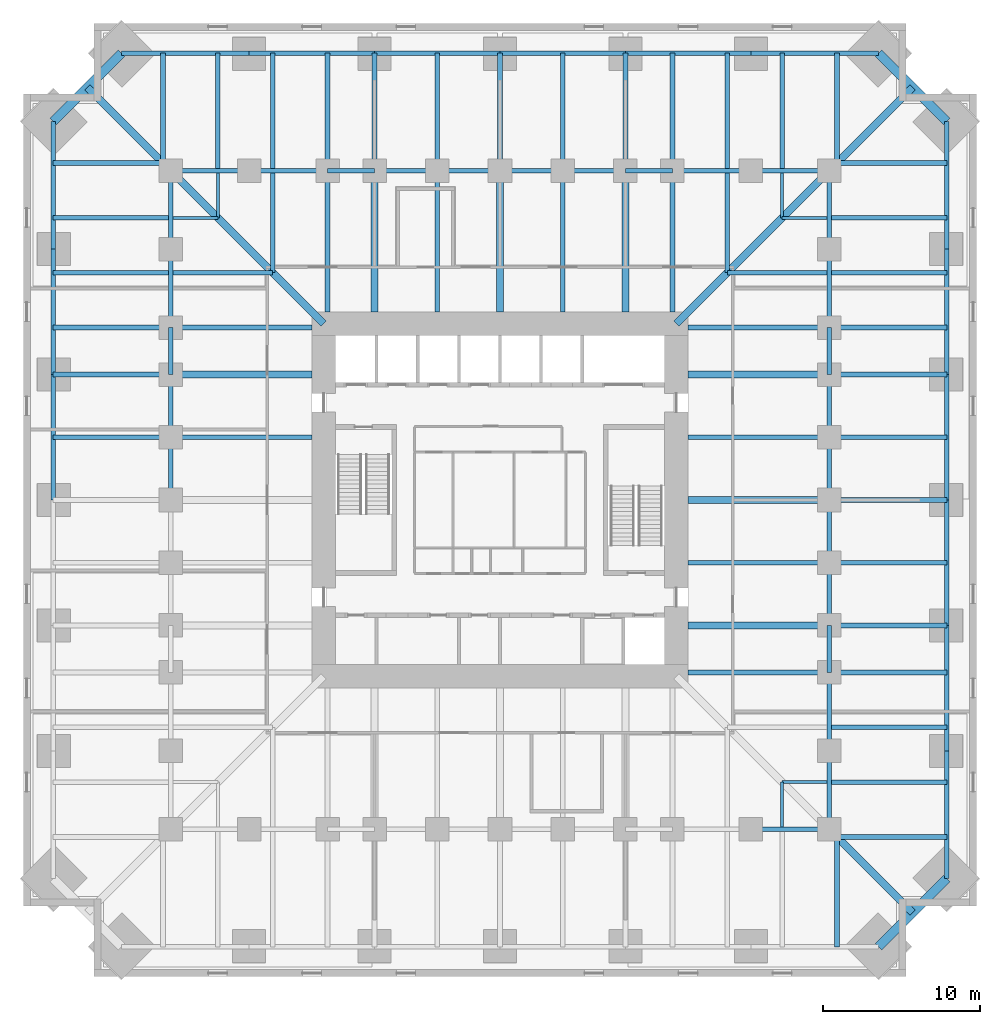
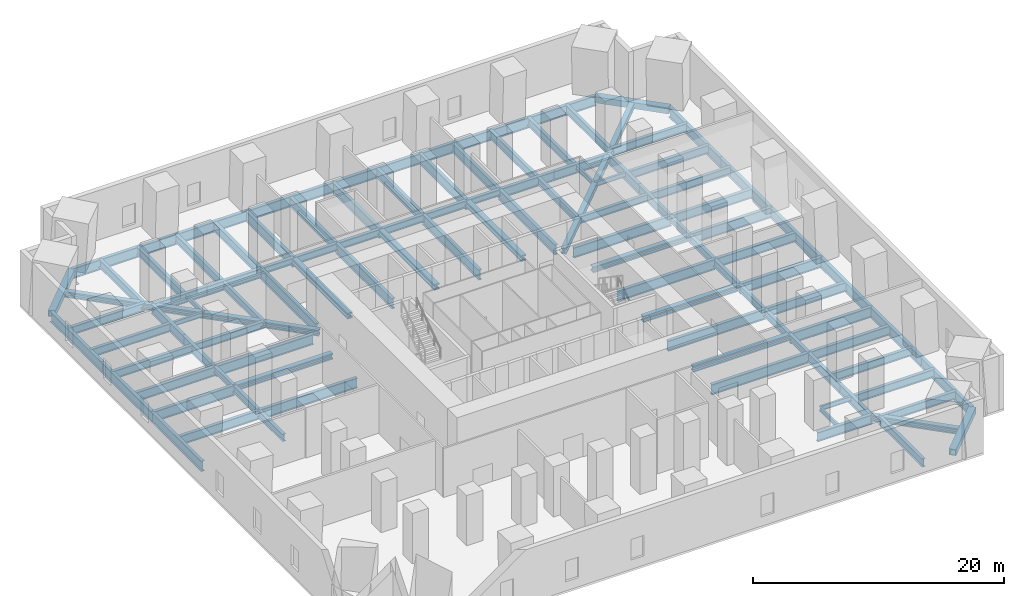
# One storey, part 2 of 8: 109 beams.
"""IFC4 building model written with IfcOpenShell, lengths in metres."""

from ifc_helpers import new_model, si_unit, direction, frame, origin, origin_2d, place, context, subcontext, project, spatial, hollow_rectangle, i_section, extrude, material, material_profile, profile_set, type_object, element, save


model = new_model("IFC4")

# Units and contexts
model_context = context("Model", 3, precision=1e-05, world=origin(), true_north=direction((0.0, 1.0)))
body_context = subcontext(model_context, "Body", "Model", "MODEL_VIEW")
ifc_project = project(units=[si_unit("LENGTHUNIT", "METRE"), si_unit("AREAUNIT", "SQUARE_METRE"), si_unit("VOLUMEUNIT", "CUBIC_METRE"), si_unit("PLANEANGLEUNIT", "RADIAN"), si_unit("MASSUNIT", "GRAM", prefix="KILO")], contexts=[model_context])

# Site, building, storey
site_placement = place(None, origin())
site = spatial("IfcSite", under=ifc_project, at=site_placement, CompositionType="ELEMENT")
building_placement = place(site_placement, origin())
building = spatial("IfcBuilding", under=site, at=building_placement, Name="Peilmerk Tower", CompositionType="ELEMENT")
storey_placement = place(building_placement, frame((0.0, 0.0, 59.5)))
storey = spatial("IfcBuildingStorey", under=building, at=storey_placement, Name="L11", CompositionType="ELEMENT", Elevation=59.5)

# Beams
ifc_material_1 = material(Name="Steel S355", Category="steel")
ifc_material_profile_1 = material_profile(ifc_material_1, i_section(OverallWidth=0.300048828125, OverallDepth=1.0, WebThickness=0.01904296875, FlangeThickness=0.035888671875, at=origin_2d()), Name="HEB 1000")
ifc_profile_set_1 = profile_set([ifc_material_profile_1], Name="Steel S355")
beam_type_1 = type_object("IfcBeamType", Name="B13 HEB 1000 edge beam", PredefinedType="SPANDREL", material=ifc_profile_set_1)
beam_1_placement = place(storey_placement, frame((24.1474609375, 28.49755859375, -0.699951171875), z_axis=(-1.0, 0.0, 0.0), x_axis=(0.0, -1.0, 0.0)))
element("IfcBeam", 1, at=beam_1_placement, inside=storey, type_object=beam_type_1, Name="Edge beam L11", PredefinedType="SPANDREL", context=body_context, shape_type="SweptSolid", body=[
    extrude(i_section(OverallWidth=0.300048828125, OverallDepth=1.0, WebThickness=0.01904296875, FlangeThickness=0.035888671875, at=origin_2d()), origin(), (0.0, 0.0, 1.0), 8.1474609375),
])
for number, where, z_axis, x_axis, name in (
    (2, (16.0, 28.49755859375, -0.699951171875), (-1.0, 0.0, 0.0), (0.0, -1.0, 0.0), "Edge beam L11"),
    (3, (8.0, 28.49755859375, -0.699951171875), (-1.0, 0.0, 0.0), (0.0, -1.0, 0.0), "Edge beam L11"),
    (4, (0.0, 28.49755859375, -0.699951171875), (-1.0, 0.0, 0.0), (0.0, -1.0, 0.0), "Edge beam L11"),
    (5, (-8.0, 28.49755859375, -0.699951171875), (-1.0, 0.0, 0.0), (0.0, -1.0, 0.0), "Edge beam L11"),
):
    element("IfcBeam", number, at=place(storey_placement, frame(where, z_axis=z_axis, x_axis=x_axis)), inside=storey, type_object=beam_type_1, Name=name, PredefinedType="SPANDREL", context=body_context, shape_type="SweptSolid", body=[
        extrude(i_section(OverallWidth=0.300048828125, OverallDepth=1.0, WebThickness=0.01904296875, FlangeThickness=0.035888671875, at=origin_2d()), origin(), (0.0, 0.0, 1.0), 8.0),
    ])
for number, where, z_axis, x_axis, name in (
    (6, (-16.0, 28.49755859375, -0.699951171875), (-1.0, 0.0, 0.0), (0.0, -1.0, 0.0), "Edge beam L11"),
    (7, (28.49755859375, -24.1474609375, -0.699951171875), (0.0, 1.0, 0.0), (-1.0, 0.0, 0.0), "Edge beam L11"),
):
    element("IfcBeam", number, at=place(storey_placement, frame(where, z_axis=z_axis, x_axis=x_axis)), inside=storey, type_object=beam_type_1, Name=name, PredefinedType="SPANDREL", context=body_context, shape_type="SweptSolid", body=[
        extrude(i_section(OverallWidth=0.300048828125, OverallDepth=1.0, WebThickness=0.01904296875, FlangeThickness=0.035888671875, at=origin_2d()), origin(), (0.0, 0.0, 1.0), 8.1474609375),
    ])
for number, where, z_axis, x_axis, name in (
    (8, (28.49755859375, -16.0, -0.699951171875), (0.0, 1.0, 0.0), (-1.0, 0.0, 0.0), "Edge beam L11"),
    (9, (28.49755859375, -8.0, -0.699951171875), (0.0, 1.0, 0.0), (-1.0, 0.0, 0.0), "Edge beam L11"),
    (10, (28.49755859375, 0.0, -0.699951171875), (0.0, 1.0, 0.0), (-1.0, 0.0, 0.0), "Edge beam L11"),
    (11, (28.49755859375, 8.0, -0.699951171875), (0.0, 1.0, 0.0), (-1.0, 0.0, 0.0), "Edge beam L11"),
):
    element("IfcBeam", number, at=place(storey_placement, frame(where, z_axis=z_axis, x_axis=x_axis)), inside=storey, type_object=beam_type_1, Name=name, PredefinedType="SPANDREL", context=body_context, shape_type="SweptSolid", body=[
        extrude(i_section(OverallWidth=0.300048828125, OverallDepth=1.0, WebThickness=0.01904296875, FlangeThickness=0.035888671875, at=origin_2d()), origin(), (0.0, 0.0, 1.0), 8.0),
    ])
for number, where, z_axis, x_axis, name in (
    (12, (28.49755859375, 16.0, -0.699951171875), (0.0, 1.0, 0.0), (-1.0, 0.0, 0.0), "Edge beam L11"),
    (13, (-28.49755859375, 24.1474609375, -0.699951171875), (0.0, -1.0, 0.0), (1.0, 0.0, 0.0), "Edge beam L11"),
):
    element("IfcBeam", number, at=place(storey_placement, frame(where, z_axis=z_axis, x_axis=x_axis)), inside=storey, type_object=beam_type_1, Name=name, PredefinedType="SPANDREL", context=body_context, shape_type="SweptSolid", body=[
        extrude(i_section(OverallWidth=0.300048828125, OverallDepth=1.0, WebThickness=0.01904296875, FlangeThickness=0.035888671875, at=origin_2d()), origin(), (0.0, 0.0, 1.0), 8.1474609375),
    ])
for number, where, z_axis, x_axis, name in (
    (14, (-28.49755859375, 16.0, -0.699951171875), (0.0, -1.0, 0.0), (1.0, 0.0, 0.0), "Edge beam L11"),
    (15, (-28.49755859375, 8.0, -0.699951171875), (0.0, -1.0, 0.0), (1.0, 0.0, 0.0), "Edge beam L11"),
):
    element("IfcBeam", number, at=place(storey_placement, frame(where, z_axis=z_axis, x_axis=x_axis)), inside=storey, type_object=beam_type_1, Name=name, PredefinedType="SPANDREL", context=body_context, shape_type="SweptSolid", body=[
        extrude(i_section(OverallWidth=0.300048828125, OverallDepth=1.0, WebThickness=0.01904296875, FlangeThickness=0.035888671875, at=origin_2d()), origin(), (0.0, 0.0, 1.0), 8.0),
    ])
ifc_material_profile_2 = material_profile(ifc_material_1, i_section(OverallWidth=0.300048828125, OverallDepth=0.68994140625, WebThickness=0.014404296875, FlangeThickness=0.027099609375, at=origin_2d()), Name="HEA 700")
ifc_profile_set_2 = profile_set([ifc_material_profile_2], Name="Steel S355")
beam_type_2 = type_object("IfcBeamType", Name="B16 HEA 700 floor beam", PredefinedType="BEAM", material=ifc_profile_set_2)
for number, where, z_axis, x_axis, name in (
    (16, (14.5, 14.5, -0.544921875), (0.0, 1.0, 0.0), (-1.0, 0.0, 0.0), "Floor beam L11"),
    (17, (14.5, 14.5, -0.544921875), (1.0, 0.0, 0.0), (0.0, 1.0, 0.0), "Floor beam L11"),
    (18, (-14.5, 14.5, -0.544921875), (0.0, 1.0, 0.0), (-1.0, 0.0, 0.0), "Floor beam L11"),
    (19, (-14.5, 14.5, -0.544921875), (-1.0, 0.0, 0.0), (0.0, -1.0, 0.0), "Floor beam L11"),
):
    element("IfcBeam", number, at=place(storey_placement, frame(where, z_axis=z_axis, x_axis=x_axis)), inside=storey, type_object=beam_type_2, Name=name, PredefinedType="BEAM", context=body_context, shape_type="SweptSolid", body=[
        extrude(i_section(OverallWidth=0.300048828125, OverallDepth=0.68994140625, WebThickness=0.014404296875, FlangeThickness=0.027099609375, at=origin_2d()), origin(), (0.0, 0.0, 1.0), 6.34912109375),
    ])
ifc_material_profile_3 = material_profile(ifc_material_1, i_section(OverallWidth=0.302001953125, OverallDepth=0.909912109375, WebThickness=0.02099609375, FlangeThickness=0.0400390625, at=origin_2d()), Name="HEM 900")
ifc_profile_set_3 = profile_set([ifc_material_profile_3], Name="Steel S355")
beam_type_3 = type_object("IfcBeamType", Name="B18 HEM 900 ring girder", PredefinedType="BEAM", material=ifc_profile_set_3)
for number, where, z_axis, x_axis, name in (
    (20, (21.0, 21.0, -0.655029296875), (-1.0, 0.0, 0.0), (0.0, -1.0, 0.0), "Ring girder L11"),
    (21, (16.0, 21.0, -0.655029296875), (-1.0, 0.0, 0.0), (0.0, -1.0, 0.0), "Ring girder L11"),
    (22, (-11.0, 21.0, -0.655029296875), (-1.0, 0.0, 0.0), (0.0, -1.0, 0.0), "Ring girder L11"),
    (23, (-16.0, 21.0, -0.655029296875), (-1.0, 0.0, 0.0), (0.0, -1.0, 0.0), "Ring girder L11"),
    (24, (21.0, -21.0, -0.655029296875), (0.0, 1.0, 0.0), (-1.0, 0.0, 0.0), "Ring girder L11"),
    (25, (21.0, -16.0, -0.655029296875), (0.0, 1.0, 0.0), (-1.0, 0.0, 0.0), "Ring girder L11"),
    (26, (21.0, 11.0, -0.655029296875), (0.0, 1.0, 0.0), (-1.0, 0.0, 0.0), "Ring girder L11"),
    (27, (21.0, 16.0, -0.655029296875), (0.0, 1.0, 0.0), (-1.0, 0.0, 0.0), "Ring girder L11"),
    (28, (16.0, -21.0, -0.655029296875), (1.0, 0.0, 0.0), (0.0, 1.0, 0.0), "Ring girder L11"),
    (29, (-21.0, 21.0, -0.655029296875), (0.0, -1.0, 0.0), (1.0, 0.0, 0.0), "Ring girder L11"),
    (30, (-21.0, 16.0, -0.655029296875), (0.0, -1.0, 0.0), (1.0, 0.0, 0.0), "Ring girder L11"),
):
    element("IfcBeam", number, at=place(storey_placement, frame(where, z_axis=z_axis, x_axis=x_axis)), inside=storey, type_object=beam_type_3, Name=name, PredefinedType="BEAM", context=body_context, shape_type="SweptSolid", body=[
        extrude(i_section(OverallWidth=0.302001953125, OverallDepth=0.909912109375, WebThickness=0.02099609375, FlangeThickness=0.0400390625, at=origin_2d()), origin(), (0.0, 0.0, 1.0), 5.0),
    ])
ifc_material_profile_4 = material_profile(ifc_material_1, i_section(OverallWidth=0.303955078125, OverallDepth=0.716064453125, WebThickness=0.02099609375, FlangeThickness=0.0400390625, at=origin_2d()), Name="HEM 700")
ifc_profile_set_4 = profile_set([ifc_material_profile_4], Name="Steel S355")
beam_type_4 = type_object("IfcBeamType", Name="B19 HEM 700 ring girder", PredefinedType="BEAM", material=ifc_profile_set_4)
for number, where, z_axis, x_axis, name in (
    (31, (8.0, 21.0, -0.55810546875), (-1.0, 0.0, 0.0), (0.0, -1.0, 0.0), "Ring girder L11"),
    (32, (4.0, 21.0, -0.55810546875), (-1.0, 0.0, 0.0), (0.0, -1.0, 0.0), "Ring girder L11"),
    (33, (0.0, 21.0, -0.55810546875), (-1.0, 0.0, 0.0), (0.0, -1.0, 0.0), "Ring girder L11"),
    (34, (-4.0, 21.0, -0.55810546875), (-1.0, 0.0, 0.0), (0.0, -1.0, 0.0), "Ring girder L11"),
    (35, (21.0, -8.0, -0.55810546875), (0.0, 1.0, 0.0), (-1.0, 0.0, 0.0), "Ring girder L11"),
    (36, (21.0, -4.0, -0.55810546875), (0.0, 1.0, 0.0), (-1.0, 0.0, 0.0), "Ring girder L11"),
    (37, (21.0, 0.0, -0.55810546875), (0.0, 1.0, 0.0), (-1.0, 0.0, 0.0), "Ring girder L11"),
    (38, (21.0, 4.0, -0.55810546875), (0.0, 1.0, 0.0), (-1.0, 0.0, 0.0), "Ring girder L11"),
    (39, (-21.0, 8.0, -0.55810546875), (0.0, -1.0, 0.0), (1.0, 0.0, 0.0), "Ring girder L11"),
    (40, (-21.0, 4.0, -0.55810546875), (0.0, -1.0, 0.0), (1.0, 0.0, 0.0), "Ring girder L11"),
):
    element("IfcBeam", number, at=place(storey_placement, frame(where, z_axis=z_axis, x_axis=x_axis)), inside=storey, type_object=beam_type_4, Name=name, PredefinedType="BEAM", context=body_context, shape_type="SweptSolid", body=[
        extrude(i_section(OverallWidth=0.303955078125, OverallDepth=0.716064453125, WebThickness=0.02099609375, FlangeThickness=0.0400390625, at=origin_2d()), origin(), (0.0, 0.0, 1.0), 4.0),
    ])
ifc_material_2 = material(Name="Steel S460", Category="steel")
ifc_material_profile_5 = material_profile(ifc_material_2, hollow_rectangle(XDim=0.60009765625, YDim=0.60009765625, WallThickness=0.06005859375, at=origin_2d()), Name="BOX 600x600x60")
ifc_profile_set_5 = profile_set([ifc_material_profile_5], Name="Steel S460")
beam_type_5 = type_object("IfcBeamType", Name="B20 BOX 600x600x60 notch beam", PredefinedType="SPANDREL", material=ifc_profile_set_5)
for number, where, z_axis, x_axis, name in (
    (41, (24.1474609375, 28.49755859375, -0.5), (0.707106781187, -0.707106781187, 0.0), (0.707106781187, 0.707106781187, 0.0), "Notch beam L11"),
    (42, (28.49755859375, -24.1474609375, -0.5), (-0.707106781187, -0.707106781187, 0.0), (0.707106781187, -0.707106781187, 0.0), "Notch beam L11"),
    (43, (-28.49755859375, 24.1474609375, -0.5), (0.707106781187, 0.707106781187, 0.0), (-0.707106781187, 0.707106781187, 0.0), "Notch beam L11"),
):
    element("IfcBeam", number, at=place(storey_placement, frame(where, z_axis=z_axis, x_axis=x_axis)), inside=storey, type_object=beam_type_5, Name=name, PredefinedType="SPANDREL", context=body_context, shape_type="SweptSolid", body=[
        extrude(hollow_rectangle(XDim=0.60009765625, YDim=0.60009765625, WallThickness=0.06005859375, at=origin_2d()), origin(), (0.0, 0.0, 1.0), 6.15185546875),
    ])
ifc_material_profile_6 = material_profile(ifc_material_1, i_section(OverallWidth=0.18994140625, OverallDepth=0.449951171875, WebThickness=0.009521484375, FlangeThickness=0.0146484375, at=origin_2d()), Name="IPE 450")
ifc_profile_set_6 = profile_set([ifc_material_profile_6], Name="Steel S355")
beam_type_6 = type_object("IfcBeamType", Name="B21 IPE 450 floor beam", PredefinedType="BEAM", material=ifc_profile_set_6)
for number, where, z_axis, x_axis, name in (
    (44, (18.0, 18.0, -0.425048828125), (0.0, 1.0, 0.0), (-1.0, 0.0, 0.0), "Floor beam L11"),
    (45, (18.0, 18.0, -0.425048828125), (1.0, 0.0, 0.0), (0.0, 1.0, 0.0), "Floor beam L11"),
    (46, (18.0, -18.0, -0.425048828125), (0.0, -1.0, 0.0), (1.0, 0.0, 0.0), "Floor beam L11"),
    (47, (18.0, -18.0, -0.425048828125), (1.0, 0.0, 0.0), (0.0, 1.0, 0.0), "Floor beam L11"),
    (48, (-18.0, 18.0, -0.425048828125), (0.0, 1.0, 0.0), (-1.0, 0.0, 0.0), "Floor beam L11"),
    (49, (-18.0, 18.0, -0.425048828125), (-1.0, 0.0, 0.0), (0.0, -1.0, 0.0), "Floor beam L11"),
):
    element("IfcBeam", number, at=place(storey_placement, frame(where, z_axis=z_axis, x_axis=x_axis)), inside=storey, type_object=beam_type_6, Name=name, PredefinedType="BEAM", context=body_context, shape_type="SweptSolid", body=[
        extrude(i_section(OverallWidth=0.18994140625, OverallDepth=0.449951171875, WebThickness=0.009521484375, FlangeThickness=0.0146484375, at=origin_2d()), origin(), (0.0, 0.0, 1.0), 2.84912109375),
    ])
ifc_material_profile_7 = material_profile(ifc_material_1, i_section(OverallWidth=0.300048828125, OverallDepth=0.7900390625, WebThickness=0.014892578125, FlangeThickness=0.028076171875, at=origin_2d()), Name="HEA 800")
ifc_profile_set_7 = profile_set([ifc_material_profile_7], Name="Steel S355")
beam_type_7 = type_object("IfcBeamType", Name="B3 HEA 800 floor beam", PredefinedType="BEAM", material=ifc_profile_set_7)
for number, where, z_axis, x_axis, name in (
    (50, (14.5, 21.15087890625, -0.594970703125), (0.0, 1.0, 0.0), (-1.0, 0.0, 0.0), "Floor beam L11"),
    (51, (21.15087890625, 14.5, -0.594970703125), (1.0, 0.0, 0.0), (0.0, 1.0, 0.0), "Floor beam L11"),
    (52, (18.0, 21.15087890625, -0.594970703125), (0.0, 1.0, 0.0), (-1.0, 0.0, 0.0), "Floor beam L11"),
    (53, (21.15087890625, 18.0, -0.594970703125), (1.0, 0.0, 0.0), (0.0, 1.0, 0.0), "Floor beam L11"),
):
    element("IfcBeam", number, at=place(storey_placement, frame(where, z_axis=z_axis, x_axis=x_axis)), inside=storey, type_object=beam_type_7, Name=name, PredefinedType="BEAM", context=body_context, shape_type="SweptSolid", body=[
        extrude(i_section(OverallWidth=0.300048828125, OverallDepth=0.7900390625, WebThickness=0.014892578125, FlangeThickness=0.028076171875, at=origin_2d()), origin(), (0.0, 0.0, 1.0), 7.3466796875),
    ])
for number, where, z_axis, x_axis, name in (
    (54, (21.5, 21.5, -0.594970703125), (0.0, 1.0, 0.0), (-1.0, 0.0, 0.0), "Floor beam L11"),
    (55, (21.5, 21.5, -0.594970703125), (1.0, 0.0, 0.0), (0.0, 1.0, 0.0), "Floor beam L11"),
):
    element("IfcBeam", number, at=place(storey_placement, frame(where, z_axis=z_axis, x_axis=x_axis)), inside=storey, type_object=beam_type_7, Name=name, PredefinedType="BEAM", context=body_context, shape_type="SweptSolid", body=[
        extrude(i_section(OverallWidth=0.300048828125, OverallDepth=0.7900390625, WebThickness=0.014892578125, FlangeThickness=0.028076171875, at=origin_2d()), origin(), (0.0, 0.0, 1.0), 6.99755859375),
    ])
for number, where, z_axis, x_axis, name in (
    (56, (21.15087890625, -14.5, -0.594970703125), (1.0, 0.0, 0.0), (0.0, 1.0, 0.0), "Floor beam L11"),
    (57, (21.15087890625, -18.0, -0.594970703125), (1.0, 0.0, 0.0), (0.0, 1.0, 0.0), "Floor beam L11"),
):
    element("IfcBeam", number, at=place(storey_placement, frame(where, z_axis=z_axis, x_axis=x_axis)), inside=storey, type_object=beam_type_7, Name=name, PredefinedType="BEAM", context=body_context, shape_type="SweptSolid", body=[
        extrude(i_section(OverallWidth=0.300048828125, OverallDepth=0.7900390625, WebThickness=0.014892578125, FlangeThickness=0.028076171875, at=origin_2d()), origin(), (0.0, 0.0, 1.0), 7.3466796875),
    ])
for number, where, z_axis, x_axis, name in (
    (58, (21.5, -21.5, -0.594970703125), (0.0, -1.0, 0.0), (1.0, 0.0, 0.0), "Floor beam L11"),
    (59, (21.5, -21.5, -0.594970703125), (1.0, 0.0, 0.0), (0.0, 1.0, 0.0), "Floor beam L11"),
):
    element("IfcBeam", number, at=place(storey_placement, frame(where, z_axis=z_axis, x_axis=x_axis)), inside=storey, type_object=beam_type_7, Name=name, PredefinedType="BEAM", context=body_context, shape_type="SweptSolid", body=[
        extrude(i_section(OverallWidth=0.300048828125, OverallDepth=0.7900390625, WebThickness=0.014892578125, FlangeThickness=0.028076171875, at=origin_2d()), origin(), (0.0, 0.0, 1.0), 6.99755859375),
    ])
for number, where, z_axis, x_axis, name in (
    (60, (-14.5, 21.15087890625, -0.594970703125), (0.0, 1.0, 0.0), (-1.0, 0.0, 0.0), "Floor beam L11"),
    (61, (-21.15087890625, 14.5, -0.594970703125), (-1.0, 0.0, 0.0), (0.0, -1.0, 0.0), "Floor beam L11"),
    (62, (-18.0, 21.15087890625, -0.594970703125), (0.0, 1.0, 0.0), (-1.0, 0.0, 0.0), "Floor beam L11"),
    (63, (-21.15087890625, 18.0, -0.594970703125), (-1.0, 0.0, 0.0), (0.0, -1.0, 0.0), "Floor beam L11"),
):
    element("IfcBeam", number, at=place(storey_placement, frame(where, z_axis=z_axis, x_axis=x_axis)), inside=storey, type_object=beam_type_7, Name=name, PredefinedType="BEAM", context=body_context, shape_type="SweptSolid", body=[
        extrude(i_section(OverallWidth=0.300048828125, OverallDepth=0.7900390625, WebThickness=0.014892578125, FlangeThickness=0.028076171875, at=origin_2d()), origin(), (0.0, 0.0, 1.0), 7.3466796875),
    ])
for number, where, z_axis, x_axis, name in (
    (64, (-21.5, 21.5, -0.594970703125), (0.0, 1.0, 0.0), (-1.0, 0.0, 0.0), "Floor beam L11"),
    (65, (-21.5, 21.5, -0.594970703125), (-1.0, 0.0, 0.0), (0.0, -1.0, 0.0), "Floor beam L11"),
):
    element("IfcBeam", number, at=place(storey_placement, frame(where, z_axis=z_axis, x_axis=x_axis)), inside=storey, type_object=beam_type_7, Name=name, PredefinedType="BEAM", context=body_context, shape_type="SweptSolid", body=[
        extrude(i_section(OverallWidth=0.300048828125, OverallDepth=0.7900390625, WebThickness=0.014892578125, FlangeThickness=0.028076171875, at=origin_2d()), origin(), (0.0, 0.0, 1.0), 6.99755859375),
    ])
ifc_material_profile_8 = material_profile(ifc_material_1, i_section(OverallWidth=0.300048828125, OverallDepth=0.889892578125, WebThickness=0.01611328125, FlangeThickness=0.030029296875, at=origin_2d()), Name="HEA 900")
ifc_profile_set_8 = profile_set([ifc_material_profile_8], Name="Steel S355")
beam_type_8 = type_object("IfcBeamType", Name="B4 HEA 900 floor beam", PredefinedType="BEAM", material=ifc_profile_set_8)
for number, where, z_axis, x_axis, name in (
    (66, (11.0, 21.0, -0.64501953125), (0.0, 1.0, 0.0), (-1.0, 0.0, 0.0), "Floor beam L11"),
    (67, (4.0, 21.0, -0.64501953125), (0.0, 1.0, 0.0), (-1.0, 0.0, 0.0), "Floor beam L11"),
    (68, (-4.0, 21.0, -0.64501953125), (0.0, 1.0, 0.0), (-1.0, 0.0, 0.0), "Floor beam L11"),
    (69, (-11.0, 21.0, -0.64501953125), (0.0, 1.0, 0.0), (-1.0, 0.0, 0.0), "Floor beam L11"),
    (70, (21.0, -11.0, -0.64501953125), (1.0, 0.0, 0.0), (0.0, 1.0, 0.0), "Floor beam L11"),
    (71, (21.0, -4.0, -0.64501953125), (1.0, 0.0, 0.0), (0.0, 1.0, 0.0), "Floor beam L11"),
    (72, (21.0, 4.0, -0.64501953125), (1.0, 0.0, 0.0), (0.0, 1.0, 0.0), "Floor beam L11"),
    (73, (21.0, 11.0, -0.64501953125), (1.0, 0.0, 0.0), (0.0, 1.0, 0.0), "Floor beam L11"),
    (74, (-21.0, 11.0, -0.64501953125), (-1.0, 0.0, 0.0), (0.0, -1.0, 0.0), "Floor beam L11"),
    (75, (-21.0, 4.0, -0.64501953125), (-1.0, 0.0, 0.0), (0.0, -1.0, 0.0), "Floor beam L11"),
):
    element("IfcBeam", number, at=place(storey_placement, frame(where, z_axis=z_axis, x_axis=x_axis)), inside=storey, type_object=beam_type_8, Name=name, PredefinedType="BEAM", context=body_context, shape_type="SweptSolid", body=[
        extrude(i_section(OverallWidth=0.300048828125, OverallDepth=0.889892578125, WebThickness=0.01611328125, FlangeThickness=0.030029296875, at=origin_2d()), origin(), (0.0, 0.0, 1.0), 7.49755859375),
    ])
ifc_material_profile_9 = material_profile(ifc_material_1, i_section(OverallWidth=0.300048828125, OverallDepth=1.0, WebThickness=0.01904296875, FlangeThickness=0.035888671875, at=origin_2d()), Name="HEB 1000")
ifc_profile_set_9 = profile_set([ifc_material_profile_9], Name="Steel S355")
beam_type_9 = type_object("IfcBeamType", Name="B5 HEB 1000 floor girder", PredefinedType="BEAM", material=ifc_profile_set_9)
beam_2_placement = place(storey_placement, frame((11.0, 12.0, -0.699951171875), z_axis=(0.0, 1.0, 0.0), x_axis=(-1.0, 0.0, 0.0)))
element("IfcBeam", 76, at=beam_2_placement, inside=storey, type_object=beam_type_9, Name="Floor beam L11", PredefinedType="BEAM", context=body_context, shape_type="SweptSolid", body=[
    extrude(i_section(OverallWidth=0.300048828125, OverallDepth=1.0, WebThickness=0.01904296875, FlangeThickness=0.035888671875, at=origin_2d()), origin(), (0.0, 0.0, 1.0), 9.0),
])
beam_3_placement = place(storey_placement, frame((8.0, 21.0, -0.699951171875), z_axis=(0.0, 1.0, 0.0), x_axis=(-1.0, 0.0, 0.0)))
element("IfcBeam", 77, at=beam_3_placement, inside=storey, type_object=beam_type_9, Name="Floor girder L11", PredefinedType="BEAM", context=body_context, shape_type="SweptSolid", body=[
    extrude(i_section(OverallWidth=0.300048828125, OverallDepth=1.0, WebThickness=0.01904296875, FlangeThickness=0.035888671875, at=origin_2d()), origin(), (0.0, 0.0, 1.0), 7.49755859375),
])
beam_4_placement = place(storey_placement, frame((4.0, 12.0, -0.699951171875), z_axis=(0.0, 1.0, 0.0), x_axis=(-1.0, 0.0, 0.0)))
element("IfcBeam", 78, at=beam_4_placement, inside=storey, type_object=beam_type_9, Name="Floor beam L11", PredefinedType="BEAM", context=body_context, shape_type="SweptSolid", body=[
    extrude(i_section(OverallWidth=0.300048828125, OverallDepth=1.0, WebThickness=0.01904296875, FlangeThickness=0.035888671875, at=origin_2d()), origin(), (0.0, 0.0, 1.0), 9.0),
])
beam_5_placement = place(storey_placement, frame((0.0, 21.0, -0.699951171875), z_axis=(0.0, 1.0, 0.0), x_axis=(-1.0, 0.0, 0.0)))
element("IfcBeam", 79, at=beam_5_placement, inside=storey, type_object=beam_type_9, Name="Floor girder L11", PredefinedType="BEAM", context=body_context, shape_type="SweptSolid", body=[
    extrude(i_section(OverallWidth=0.300048828125, OverallDepth=1.0, WebThickness=0.01904296875, FlangeThickness=0.035888671875, at=origin_2d()), origin(), (0.0, 0.0, 1.0), 7.49755859375),
])
beam_6_placement = place(storey_placement, frame((-4.0, 12.0, -0.699951171875), z_axis=(0.0, 1.0, 0.0), x_axis=(-1.0, 0.0, 0.0)))
element("IfcBeam", 80, at=beam_6_placement, inside=storey, type_object=beam_type_9, Name="Floor beam L11", PredefinedType="BEAM", context=body_context, shape_type="SweptSolid", body=[
    extrude(i_section(OverallWidth=0.300048828125, OverallDepth=1.0, WebThickness=0.01904296875, FlangeThickness=0.035888671875, at=origin_2d()), origin(), (0.0, 0.0, 1.0), 9.0),
])
beam_7_placement = place(storey_placement, frame((-8.0, 21.0, -0.699951171875), z_axis=(0.0, 1.0, 0.0), x_axis=(-1.0, 0.0, 0.0)))
element("IfcBeam", 81, at=beam_7_placement, inside=storey, type_object=beam_type_9, Name="Floor girder L11", PredefinedType="BEAM", context=body_context, shape_type="SweptSolid", body=[
    extrude(i_section(OverallWidth=0.300048828125, OverallDepth=1.0, WebThickness=0.01904296875, FlangeThickness=0.035888671875, at=origin_2d()), origin(), (0.0, 0.0, 1.0), 7.49755859375),
])
for number, where, z_axis, x_axis, name in (
    (82, (-11.0, 12.0, -0.699951171875), (0.0, 1.0, 0.0), (-1.0, 0.0, 0.0), "Floor beam L11"),
    (83, (12.0, -11.0, -0.699951171875), (1.0, 0.0, 0.0), (0.0, 1.0, 0.0), "Floor beam L11"),
):
    element("IfcBeam", number, at=place(storey_placement, frame(where, z_axis=z_axis, x_axis=x_axis)), inside=storey, type_object=beam_type_9, Name=name, PredefinedType="BEAM", context=body_context, shape_type="SweptSolid", body=[
        extrude(i_section(OverallWidth=0.300048828125, OverallDepth=1.0, WebThickness=0.01904296875, FlangeThickness=0.035888671875, at=origin_2d()), origin(), (0.0, 0.0, 1.0), 9.0),
    ])
beam_8_placement = place(storey_placement, frame((21.0, -8.0, -0.699951171875), z_axis=(1.0, 0.0, 0.0), x_axis=(0.0, 1.0, 0.0)))
element("IfcBeam", 84, at=beam_8_placement, inside=storey, type_object=beam_type_9, Name="Floor girder L11", PredefinedType="BEAM", context=body_context, shape_type="SweptSolid", body=[
    extrude(i_section(OverallWidth=0.300048828125, OverallDepth=1.0, WebThickness=0.01904296875, FlangeThickness=0.035888671875, at=origin_2d()), origin(), (0.0, 0.0, 1.0), 7.49755859375),
])
beam_9_placement = place(storey_placement, frame((12.0, -4.0, -0.699951171875), z_axis=(1.0, 0.0, 0.0), x_axis=(0.0, 1.0, 0.0)))
element("IfcBeam", 85, at=beam_9_placement, inside=storey, type_object=beam_type_9, Name="Floor beam L11", PredefinedType="BEAM", context=body_context, shape_type="SweptSolid", body=[
    extrude(i_section(OverallWidth=0.300048828125, OverallDepth=1.0, WebThickness=0.01904296875, FlangeThickness=0.035888671875, at=origin_2d()), origin(), (0.0, 0.0, 1.0), 9.0),
])
beam_10_placement = place(storey_placement, frame((21.0, 0.0, -0.699951171875), z_axis=(1.0, 0.0, 0.0), x_axis=(0.0, 1.0, 0.0)))
element("IfcBeam", 86, at=beam_10_placement, inside=storey, type_object=beam_type_9, Name="Floor girder L11", PredefinedType="BEAM", context=body_context, shape_type="SweptSolid", body=[
    extrude(i_section(OverallWidth=0.300048828125, OverallDepth=1.0, WebThickness=0.01904296875, FlangeThickness=0.035888671875, at=origin_2d()), origin(), (0.0, 0.0, 1.0), 7.49755859375),
])
beam_11_placement = place(storey_placement, frame((12.0, 4.0, -0.699951171875), z_axis=(1.0, 0.0, 0.0), x_axis=(0.0, 1.0, 0.0)))
element("IfcBeam", 87, at=beam_11_placement, inside=storey, type_object=beam_type_9, Name="Floor beam L11", PredefinedType="BEAM", context=body_context, shape_type="SweptSolid", body=[
    extrude(i_section(OverallWidth=0.300048828125, OverallDepth=1.0, WebThickness=0.01904296875, FlangeThickness=0.035888671875, at=origin_2d()), origin(), (0.0, 0.0, 1.0), 9.0),
])
beam_12_placement = place(storey_placement, frame((21.0, 8.0, -0.699951171875), z_axis=(1.0, 0.0, 0.0), x_axis=(0.0, 1.0, 0.0)))
element("IfcBeam", 88, at=beam_12_placement, inside=storey, type_object=beam_type_9, Name="Floor girder L11", PredefinedType="BEAM", context=body_context, shape_type="SweptSolid", body=[
    extrude(i_section(OverallWidth=0.300048828125, OverallDepth=1.0, WebThickness=0.01904296875, FlangeThickness=0.035888671875, at=origin_2d()), origin(), (0.0, 0.0, 1.0), 7.49755859375),
])
for number, where, z_axis, x_axis, name in (
    (89, (12.0, 11.0, -0.699951171875), (1.0, 0.0, 0.0), (0.0, 1.0, 0.0), "Floor beam L11"),
    (90, (-12.0, 11.0, -0.699951171875), (-1.0, 0.0, 0.0), (0.0, -1.0, 0.0), "Floor beam L11"),
):
    element("IfcBeam", number, at=place(storey_placement, frame(where, z_axis=z_axis, x_axis=x_axis)), inside=storey, type_object=beam_type_9, Name=name, PredefinedType="BEAM", context=body_context, shape_type="SweptSolid", body=[
        extrude(i_section(OverallWidth=0.300048828125, OverallDepth=1.0, WebThickness=0.01904296875, FlangeThickness=0.035888671875, at=origin_2d()), origin(), (0.0, 0.0, 1.0), 9.0),
    ])
beam_13_placement = place(storey_placement, frame((-21.0, 8.0, -0.699951171875), z_axis=(-1.0, 0.0, 0.0), x_axis=(0.0, -1.0, 0.0)))
element("IfcBeam", 91, at=beam_13_placement, inside=storey, type_object=beam_type_9, Name="Floor girder L11", PredefinedType="BEAM", context=body_context, shape_type="SweptSolid", body=[
    extrude(i_section(OverallWidth=0.300048828125, OverallDepth=1.0, WebThickness=0.01904296875, FlangeThickness=0.035888671875, at=origin_2d()), origin(), (0.0, 0.0, 1.0), 7.49755859375),
])
beam_14_placement = place(storey_placement, frame((-12.0, 4.0, -0.699951171875), z_axis=(-1.0, 0.0, 0.0), x_axis=(0.0, -1.0, 0.0)))
element("IfcBeam", 92, at=beam_14_placement, inside=storey, type_object=beam_type_9, Name="Floor beam L11", PredefinedType="BEAM", context=body_context, shape_type="SweptSolid", body=[
    extrude(i_section(OverallWidth=0.300048828125, OverallDepth=1.0, WebThickness=0.01904296875, FlangeThickness=0.035888671875, at=origin_2d()), origin(), (0.0, 0.0, 1.0), 9.0),
])
ifc_material_profile_10 = material_profile(ifc_material_1, i_section(OverallWidth=0.304931640625, OverallDepth=0.6201171875, WebThickness=0.02099609375, FlangeThickness=0.0400390625, at=origin_2d()), Name="HEM 600")
ifc_profile_set_10 = profile_set([ifc_material_profile_10], Name="Steel S355")
beam_type_10 = type_object("IfcBeamType", Name="B6 HEM 600 ring girder", PredefinedType="BEAM", material=ifc_profile_set_10)
for number, where, z_axis, x_axis, name in (
    (93, (11.0, 21.0, -0.510009765625), (-1.0, 0.0, 0.0), (0.0, -1.0, 0.0), "Ring girder L11"),
    (94, (-8.0, 21.0, -0.510009765625), (-1.0, 0.0, 0.0), (0.0, -1.0, 0.0), "Ring girder L11"),
    (95, (21.0, -11.0, -0.510009765625), (0.0, 1.0, 0.0), (-1.0, 0.0, 0.0), "Ring girder L11"),
    (96, (21.0, 8.0, -0.510009765625), (0.0, 1.0, 0.0), (-1.0, 0.0, 0.0), "Ring girder L11"),
    (97, (-21.0, 11.0, -0.510009765625), (0.0, -1.0, 0.0), (1.0, 0.0, 0.0), "Ring girder L11"),
):
    element("IfcBeam", number, at=place(storey_placement, frame(where, z_axis=z_axis, x_axis=x_axis)), inside=storey, type_object=beam_type_10, Name=name, PredefinedType="BEAM", context=body_context, shape_type="SweptSolid", body=[
        extrude(i_section(OverallWidth=0.304931640625, OverallDepth=0.6201171875, WebThickness=0.02099609375, FlangeThickness=0.0400390625, at=origin_2d()), origin(), (0.0, 0.0, 1.0), 3.0),
    ])
ifc_material_profile_11 = material_profile(ifc_material_2, i_section(OverallWidth=0.4541015625, OverallDepth=0.569091796875, WebThickness=0.077880859375, FlangeThickness=0.125, at=origin_2d()), Name="HD 400x1086")
ifc_profile_set_11 = profile_set([ifc_material_profile_11], Name="Steel S460")
beam_type_11 = type_object("IfcBeamType", Name="B9 HD 400x1086 corner girder", PredefinedType="BEAM", material=ifc_profile_set_11)
for number, where, z_axis, x_axis, name in (
    (98, (8.0, 12.0, -0.484619140625), (0.0, 1.0, 0.0), (-1.0, 0.0, 0.0), "Floor girder L11"),
    (99, (0.0, 12.0, -0.484619140625), (0.0, 1.0, 0.0), (-1.0, 0.0, 0.0), "Floor girder L11"),
    (100, (-8.0, 12.0, -0.484619140625), (0.0, 1.0, 0.0), (-1.0, 0.0, 0.0), "Floor girder L11"),
    (101, (12.0, -8.0, -0.484619140625), (1.0, 0.0, 0.0), (0.0, 1.0, 0.0), "Floor girder L11"),
    (102, (12.0, 0.0, -0.484619140625), (1.0, 0.0, 0.0), (0.0, 1.0, 0.0), "Floor girder L11"),
    (103, (12.0, 8.0, -0.484619140625), (1.0, 0.0, 0.0), (0.0, 1.0, 0.0), "Floor girder L11"),
    (104, (-12.0, 8.0, -0.484619140625), (-1.0, 0.0, 0.0), (0.0, -1.0, 0.0), "Floor girder L11"),
):
    element("IfcBeam", number, at=place(storey_placement, frame(where, z_axis=z_axis, x_axis=x_axis)), inside=storey, type_object=beam_type_11, Name=name, PredefinedType="BEAM", context=body_context, shape_type="SweptSolid", body=[
        extrude(i_section(OverallWidth=0.4541015625, OverallDepth=0.569091796875, WebThickness=0.077880859375, FlangeThickness=0.125, at=origin_2d()), origin(), (0.0, 0.0, 1.0), 9.0),
    ])
beam_15_placement = place(storey_placement, frame((11.25, 11.25, -0.484619140625), z_axis=(0.707106781187, 0.707106781187, 0.0), x_axis=(-0.707106781187, 0.707106781187, 0.0)))
element("IfcBeam", 105, at=beam_15_placement, inside=storey, type_object=beam_type_11, Name="Corner girder L11", PredefinedType="BEAM", context=body_context, shape_type="SweptSolid", body=[
    extrude(i_section(OverallWidth=0.4541015625, OverallDepth=0.569091796875, WebThickness=0.077880859375, FlangeThickness=0.125, at=origin_2d()), origin(), (0.0, 0.0, 1.0), 13.78857421875),
])
for number, where, z_axis, x_axis, name in (
    (106, (21.0, 21.0, -0.484619140625), (0.707106781187, 0.707106781187, 0.0), (-0.707106781187, 0.707106781187, 0.0), "Corner girder L11"),
    (107, (21.0, -21.0, -0.484619140625), (0.707106781187, -0.707106781187, 0.0), (0.707106781187, 0.707106781187, 0.0), "Corner girder L11"),
):
    element("IfcBeam", number, at=place(storey_placement, frame(where, z_axis=z_axis, x_axis=x_axis)), inside=storey, type_object=beam_type_11, Name=name, PredefinedType="BEAM", context=body_context, shape_type="SweptSolid", body=[
        extrude(i_section(OverallWidth=0.4541015625, OverallDepth=0.569091796875, WebThickness=0.077880859375, FlangeThickness=0.125, at=origin_2d()), origin(), (0.0, 0.0, 1.0), 7.527099609375),
    ])
beam_16_placement = place(storey_placement, frame((-11.25, 11.25, -0.484619140625), z_axis=(-0.707106781187, 0.707106781187, 0.0), x_axis=(-0.707106781187, -0.707106781187, 0.0)))
element("IfcBeam", 108, at=beam_16_placement, inside=storey, type_object=beam_type_11, Name="Corner girder L11", PredefinedType="BEAM", context=body_context, shape_type="SweptSolid", body=[
    extrude(i_section(OverallWidth=0.4541015625, OverallDepth=0.569091796875, WebThickness=0.077880859375, FlangeThickness=0.125, at=origin_2d()), origin(), (0.0, 0.0, 1.0), 13.78857421875),
])
beam_17_placement = place(storey_placement, frame((-21.0, 21.0, -0.484619140625), z_axis=(-0.707106781187, 0.707106781187, 0.0), x_axis=(-0.707106781187, -0.707106781187, 0.0)))
element("IfcBeam", 109, at=beam_17_placement, inside=storey, type_object=beam_type_11, Name="Corner girder L11", PredefinedType="BEAM", context=body_context, shape_type="SweptSolid", body=[
    extrude(i_section(OverallWidth=0.4541015625, OverallDepth=0.569091796875, WebThickness=0.077880859375, FlangeThickness=0.125, at=origin_2d()), origin(), (0.0, 0.0, 1.0), 7.527099609375),
])

save(model, "model.ifc")
